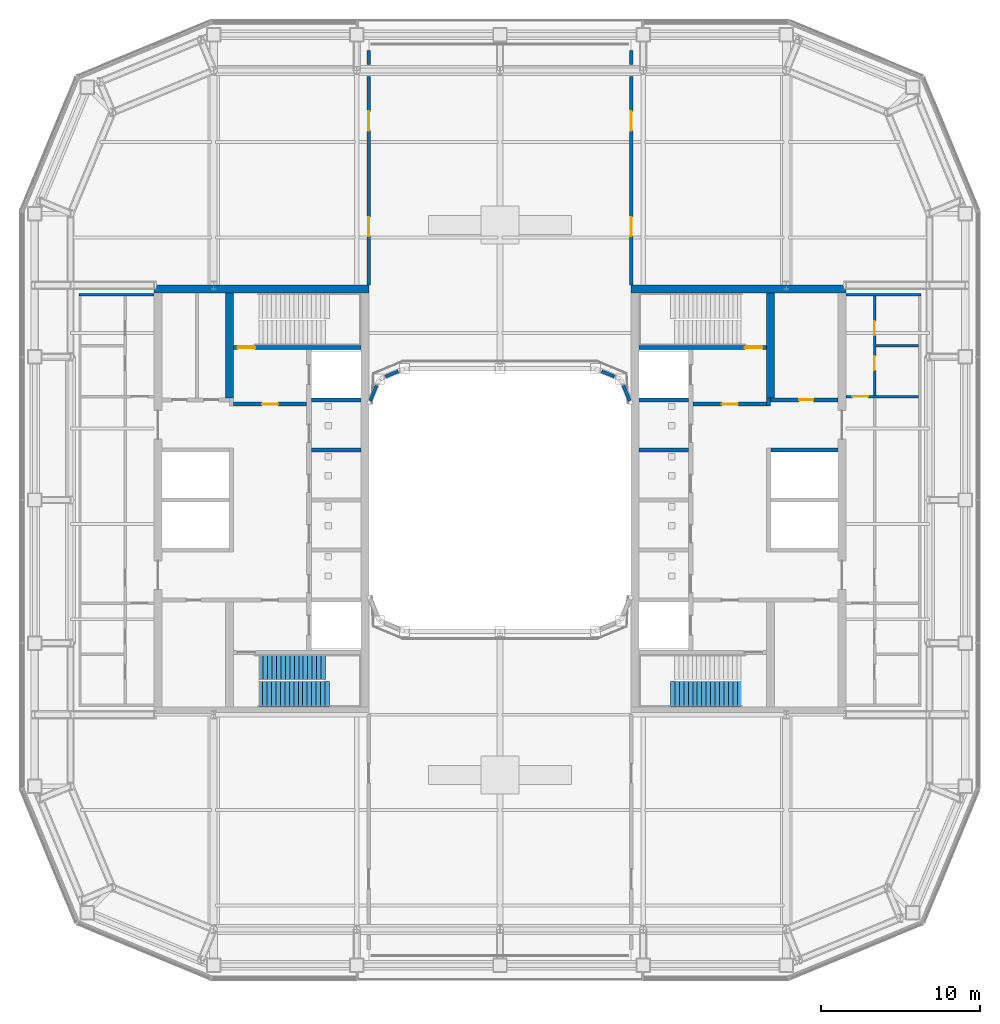
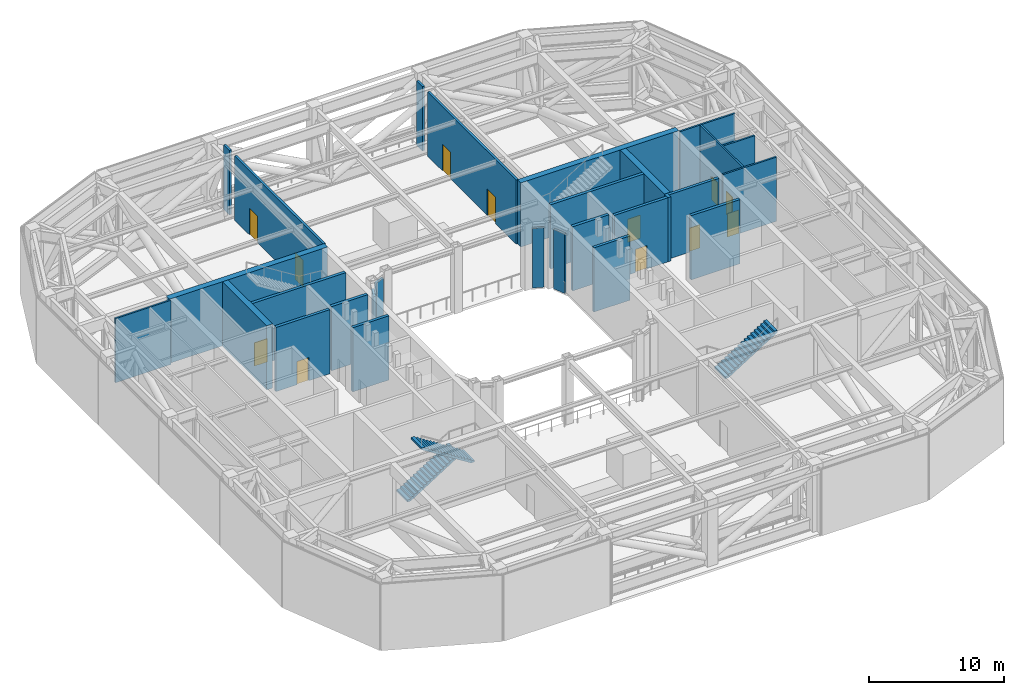
# One storey, part 13 of 22: 28 walls, 12 doors, 3 stair flights, 12 openings, 2 elements without a shape of their own.
"""IFC4 building model written with IfcOpenShell, lengths in metres."""

from ifc_helpers import new_model, si_unit, direction, frame, frame_2d, origin, place, context, subcontext, project, spatial, polyline, rectangle, outline, extrude, material, layer, layer_set, type_object, element, fill, aggregate, save


model = new_model("IFC4")

# Units and contexts
model_context = context("Model", 3, precision=1e-05, world=origin(), true_north=direction((0.0, 1.0)))
body_context = subcontext(model_context, "Body", "Model", "MODEL_VIEW")
ifc_project = project(units=[si_unit("LENGTHUNIT", "METRE"), si_unit("AREAUNIT", "SQUARE_METRE"), si_unit("VOLUMEUNIT", "CUBIC_METRE"), si_unit("PLANEANGLEUNIT", "RADIAN"), si_unit("MASSUNIT", "GRAM", prefix="KILO")], contexts=[model_context])

# Site, building, storey
site_placement = place(None, origin())
site = spatial("IfcSite", under=ifc_project, at=site_placement, CompositionType="ELEMENT")
building_placement = place(site_placement, origin())
building = spatial("IfcBuilding", under=site, at=building_placement, Name="Siwar Civic Tower", CompositionType="ELEMENT")
storey_placement = place(building_placement, frame((0.0, 0.0, 181.199951171875)))
storey = spatial("IfcBuildingStorey", under=building, at=storey_placement, Name="L39", CompositionType="ELEMENT", Elevation=181.199951171875)

# Wall, opening, door
ifc_material_1 = material(Name="Gypsum board on steel studs", Category="steel")
ifc_layer_1 = layer(ifc_material_1, 0.14990234375)
ifc_layer_set_1 = layer_set([ifc_layer_1], Name="Gypsum board on steel studs")
wall_type_1 = type_object("IfcWallType", Name="COMPARTMENT PARTITION 150 EI 60", PredefinedType="PARTITIONING", material=ifc_layer_set_1)
wall_1_placement = place(storey_placement, frame((21.75, 6.5, 0.0), z_axis=(0.0, 0.0, 1.0), x_axis=(1.0, 0.0, 0.0)))
wall_1 = element("IfcWall", 1, at=wall_1_placement, inside=storey, type_object=wall_type_1, Name="L39/wall/P08", PredefinedType="PARTITIONING", context=body_context, shape_type="SweptSolid", body=[
    extrude(rectangle(XDim=4.574951171875, YDim=0.14990234375, at=frame_2d((2.28759765625, 0.0))), origin(), (0.0, 0.0, 1.0), 5.800048828125),
])
opening_1_placement = place(wall_1_placement, frame((0.39990234375, 0.0, 0.0)))
opening_1 = element("IfcOpeningElement", 2, at=opening_1_placement, cuts=wall_1, Name="Opening D1", PredefinedType="OPENING", context=body_context, shape_type="SweptSolid", body=[
    extrude(rectangle(XDim=1.0, YDim=2.10009765625, at=frame_2d((0.5, 1.050048828125))), frame((0.0, 0.0849609375, 0.0), z_axis=(0.0, -1.0, 0.0), x_axis=(1.0, 0.0, 0.0)), (0.0, 0.0, 1.0), 0.169921875),
])
ifc_material_2 = material(Name="Timber, painted", Category="wood")
door_type_1 = type_object("IfcDoorType", Name="DOOR 1000 X 2100 FD30", OperationType="SINGLE_SWING_LEFT", PredefinedType="DOOR", material=ifc_material_2)
door_1_placement = place(opening_1_placement, origin())
door_1 = element("IfcDoor", 3, at=door_1_placement, inside=storey, type_object=door_type_1, Name="L39-D01", OperationType="SINGLE_SWING_LEFT", OverallHeight=2.10009765625, OverallWidth=1.0, PredefinedType="DOOR", context=body_context, shape_type="SweptSolid", body=[
    extrude(rectangle(XDim=1.0, YDim=2.10009765625, at=frame_2d((0.5, 1.050048828125))), frame((0.0, 0.02490234375, 0.0), z_axis=(0.0, -1.0, 0.0), x_axis=(1.0, 0.0, 0.0)), (0.0, 0.0, 1.0), 0.050048828125),
])
fill(opening_1, door_1)

# Walls
wall_2_placement = place(storey_placement, frame((23.625, 9.699951171875, 0.0), z_axis=(0.0, 0.0, 1.0), x_axis=(1.0, 0.0, 0.0)))
element("IfcWall", 4, at=wall_2_placement, inside=storey, type_object=wall_type_1, Name="L39/wall/P10", PredefinedType="PARTITIONING", context=body_context, shape_type="SweptSolid", body=[
    extrude(rectangle(XDim=2.699951171875, YDim=0.14990234375, at=frame_2d((1.35009765625, 0.0))), origin(), (0.0, 0.0, 1.0), 5.800048828125),
])
for number, where, z_axis, x_axis, name in (
    (5, (-26.47509765625, 12.89990234375, 0.0), (0.0, 0.0, 1.0), (1.0, 0.0, 0.0), "L39/wall/P11"),
    (6, (21.75, 12.89990234375, 0.0), (0.0, 0.0, 1.0), (1.0, 0.0, 0.0), "L39/wall/P12"),
):
    element("IfcWall", number, at=place(storey_placement, frame(where, z_axis=z_axis, x_axis=x_axis)), inside=storey, type_object=wall_type_1, Name=name, PredefinedType="PARTITIONING", context=body_context, shape_type="SweptSolid", body=[
        extrude(rectangle(XDim=4.72509765625, YDim=0.14990234375, at=frame_2d((2.362548828125, 0.0))), origin(), (0.0, 0.0, 1.0), 5.800048828125),
    ])

# Wall, openings, doors
wall_3_placement = place(storey_placement, frame((23.550048828125, 6.574951171875, 0.0), z_axis=(0.0, 0.0, 1.0), x_axis=(0.0, 1.0, 0.0)))
wall_3 = element("IfcWall", 7, at=wall_3_placement, inside=storey, type_object=wall_type_1, Name="L39/wall/P19", PredefinedType="PARTITIONING", context=body_context, shape_type="SweptSolid", body=[
    extrude(rectangle(XDim=6.25, YDim=0.14990234375, at=frame_2d((3.125, 0.0))), origin(), (0.0, 0.0, 1.0), 5.800048828125),
])
opening_2_placement = place(wall_3_placement, frame((1.574951171875, 0.0, 0.0)))
opening_2 = element("IfcOpeningElement", 8, at=opening_2_placement, cuts=wall_3, Name="Opening D4", PredefinedType="OPENING", context=body_context, shape_type="SweptSolid", body=[
    extrude(rectangle(XDim=0.89990234375, YDim=2.10009765625, at=frame_2d((0.449951171875, 1.050048828125))), frame((0.0, 0.0849609375, 0.0), z_axis=(0.0, -1.0, 0.0), x_axis=(1.0, 0.0, 0.0)), (0.0, 0.0, 1.0), 0.169921875),
])
opening_3_placement = place(wall_3_placement, frame((3.77490234375, 0.0, 0.0)))
opening_3 = element("IfcOpeningElement", 9, at=opening_3_placement, cuts=wall_3, Name="Opening D4", PredefinedType="OPENING", context=body_context, shape_type="SweptSolid", body=[
    extrude(rectangle(XDim=0.89990234375, YDim=2.10009765625, at=frame_2d((0.449951171875, 1.050048828125))), frame((0.0, 0.0849609375, 0.0), z_axis=(0.0, -1.0, 0.0), x_axis=(1.0, 0.0, 0.0)), (0.0, 0.0, 1.0), 0.169921875),
])
ifc_material_3 = material(Name="Timber, painted", Category="wood")
door_type_2 = type_object("IfcDoorType", Name="DOOR 900 X 2100 FD60", OperationType="SINGLE_SWING_LEFT", PredefinedType="DOOR", material=ifc_material_3)
door_2_placement = place(opening_2_placement, origin())
door_2 = element("IfcDoor", 10, at=door_2_placement, inside=storey, type_object=door_type_2, Name="L39-D04", OperationType="SINGLE_SWING_RIGHT", OverallHeight=2.10009765625, OverallWidth=0.89990234375, PredefinedType="DOOR", context=body_context, shape_type="SweptSolid", body=[
    extrude(rectangle(XDim=0.89990234375, YDim=2.10009765625, at=frame_2d((0.449951171875, 1.050048828125))), frame((0.0, 0.02490234375, 0.0), z_axis=(0.0, -1.0, 0.0), x_axis=(1.0, 0.0, 0.0)), (0.0, 0.0, 1.0), 0.050048828125),
])
fill(opening_2, door_2)
door_3_placement = place(opening_3_placement, origin())
door_3 = element("IfcDoor", 11, at=door_3_placement, inside=storey, type_object=door_type_2, Name="L39-D05", OperationType="SINGLE_SWING_LEFT", OverallHeight=2.10009765625, OverallWidth=0.89990234375, PredefinedType="DOOR", context=body_context, shape_type="SweptSolid", body=[
    extrude(rectangle(XDim=0.89990234375, YDim=2.10009765625, at=frame_2d((0.449951171875, 1.050048828125))), frame((0.0, 0.02490234375, 0.0), z_axis=(0.0, -1.0, 0.0), x_axis=(1.0, 0.0, 0.0)), (0.0, 0.0, 1.0), 0.050048828125),
])
fill(opening_3, door_3)

# Wall, opening, door
ifc_material_4 = material(Name="Concrete C60/75", Category="concrete")
ifc_layer_2 = layer(ifc_material_4, 0.25)
ifc_layer_set_2 = layer_set([ifc_layer_2], Name="Concrete C60/75")
wall_type_2 = type_object("IfcWallType", Name="CORE-WALL-RC250", PredefinedType="SHEAR", material=ifc_layer_set_2)
wall_4_placement = place(storey_placement, frame((-12.14990234375, 6.02490234375, 0.0), z_axis=(0.0, 0.0, 1.0), x_axis=(-1.0, 0.0, 0.0)))
wall_4 = element("IfcWall", 12, at=wall_4_placement, inside=storey, type_object=wall_type_2, Name="Core wall W", PredefinedType="SHEAR", context=body_context, shape_type="SweptSolid", body=[
    extrude(rectangle(XDim=4.60009765625, YDim=0.25, at=frame_2d((2.300048828125, 0.0))), origin(), (0.0, 0.0, 1.0), 5.800048828125),
])
opening_4_placement = place(wall_4_placement, frame((1.800048828125, 0.0, 0.0)))
opening_4 = element("IfcOpeningElement", 13, at=opening_4_placement, cuts=wall_4, Name="Opening L39-CW01", PredefinedType="OPENING", context=body_context, shape_type="SweptSolid", body=[
    extrude(rectangle(XDim=1.0, YDim=2.10009765625, at=frame_2d((0.5, 1.050048828125))), frame((0.0, 0.135009765625, 0.0), z_axis=(0.0, -1.0, 0.0), x_axis=(1.0, 0.0, 0.0)), (0.0, 0.0, 1.0), 0.27001953125),
])
ifc_material_5 = material(Name="Steel door leaf", Category="steel")
door_type_3 = type_object("IfcDoorType", Name="CORE-DOOR-FD30S", OperationType="SINGLE_SWING_LEFT", PredefinedType="DOOR", material=ifc_material_5)
door_4_placement = place(opening_4_placement, origin())
door_4 = element("IfcDoor", 14, at=door_4_placement, inside=storey, type_object=door_type_3, Name="Firefighting lobby door L39-CW01", OperationType="SINGLE_SWING_LEFT", OverallHeight=2.10009765625, OverallWidth=1.0, PredefinedType="DOOR", context=body_context, shape_type="SweptSolid", body=[
    extrude(rectangle(XDim=1.0, YDim=2.10009765625, at=frame_2d((0.5, 1.050048828125))), frame((0.0, 0.02490234375, 0.0), z_axis=(0.0, -1.0, 0.0), x_axis=(1.0, 0.0, 0.0)), (0.0, 0.0, 1.0), 0.050048828125),
])
fill(opening_4, door_4)

# Walls
for number, where, z_axis, x_axis, name in (
    (15, (-8.75, 3.14990234375, 0.0), (0.0, 0.0, 1.0), (-1.0, 0.0, 0.0), "Core wall W"),
    (16, (-8.75, 6.300048828125, 0.0), (0.0, 0.0, 1.0), (-1.0, 0.0, 0.0), "Core wall W"),
):
    element("IfcWall", number, at=place(storey_placement, frame(where, z_axis=z_axis, x_axis=x_axis)), inside=storey, type_object=wall_type_2, Name=name, PredefinedType="SHEAR", context=body_context, shape_type="SweptSolid", body=[
        extrude(rectangle(XDim=3.10009765625, YDim=0.25, at=frame_2d((1.550048828125, 0.0))), origin(), (0.0, 0.0, 1.0), 5.800048828125),
    ])

# Wall, opening, door
wall_5_placement = place(storey_placement, frame((-8.75, 9.574951171875, 0.0), z_axis=(0.0, 0.0, 1.0), x_axis=(-1.0, 0.0, 0.0)))
wall_5 = element("IfcWall", 17, at=wall_5_placement, inside=storey, type_object=wall_type_2, Name="Core wall W", PredefinedType="SHEAR", context=body_context, shape_type="SweptSolid", body=[
    extrude(rectangle(XDim=8.0, YDim=0.25, at=frame_2d((4.0, 0.0))), origin(), (0.0, 0.0, 1.0), 5.800048828125),
])
opening_5_placement = place(wall_5_placement, frame((6.64990234375, 0.0, 0.0)))
opening_5 = element("IfcOpeningElement", 18, at=opening_5_placement, cuts=wall_5, Name="Opening L39-CW03", PredefinedType="OPENING", context=body_context, shape_type="SweptSolid", body=[
    extrude(rectangle(XDim=1.10009765625, YDim=2.10009765625, at=frame_2d((0.550048828125, 1.050048828125))), frame((0.0, 0.135009765625, 0.0), z_axis=(0.0, -1.0, 0.0), x_axis=(1.0, 0.0, 0.0)), (0.0, 0.0, 1.0), 0.27001953125),
])
ifc_material_6 = material(Name="Steel door leaf", Category="steel")
door_type_4 = type_object("IfcDoorType", Name="CORE-DOOR-FD60S", OperationType="SINGLE_SWING_LEFT", PredefinedType="DOOR", material=ifc_material_6)
door_5_placement = place(opening_5_placement, origin())
door_5 = element("IfcDoor", 19, at=door_5_placement, inside=storey, type_object=door_type_4, Name="Stair door L39-CW03", OperationType="SINGLE_SWING_RIGHT", OverallHeight=2.10009765625, OverallWidth=1.10009765625, PredefinedType="DOOR", context=body_context, shape_type="SweptSolid", body=[
    extrude(rectangle(XDim=1.10009765625, YDim=2.10009765625, at=frame_2d((0.550048828125, 1.050048828125))), frame((0.0, 0.02490234375, 0.0), z_axis=(0.0, -1.0, 0.0), x_axis=(1.0, 0.0, 0.0)), (0.0, 0.0, 1.0), 0.050048828125),
])
fill(opening_5, door_5)

wall_6_placement = place(storey_placement, frame((12.14990234375, 6.02490234375, 0.0), z_axis=(0.0, 0.0, 1.0), x_axis=(1.0, 0.0, 0.0)))
wall_6 = element("IfcWall", 20, at=wall_6_placement, inside=storey, type_object=wall_type_2, Name="Core wall E", PredefinedType="SHEAR", context=body_context, shape_type="SweptSolid", body=[
    extrude(rectangle(XDim=4.60009765625, YDim=0.25, at=frame_2d((2.300048828125, 0.0))), origin(), (0.0, 0.0, 1.0), 5.800048828125),
])
opening_6_placement = place(wall_6_placement, frame((1.800048828125, 0.0, 0.0)))
opening_6 = element("IfcOpeningElement", 21, at=opening_6_placement, cuts=wall_6, Name="Opening L39-CE01", PredefinedType="OPENING", context=body_context, shape_type="SweptSolid", body=[
    extrude(rectangle(XDim=1.0, YDim=2.10009765625, at=frame_2d((0.5, 1.050048828125))), frame((0.0, 0.135009765625, 0.0), z_axis=(0.0, -1.0, 0.0), x_axis=(1.0, 0.0, 0.0)), (0.0, 0.0, 1.0), 0.27001953125),
])
door_6_placement = place(opening_6_placement, origin())
door_6 = element("IfcDoor", 22, at=door_6_placement, inside=storey, type_object=door_type_3, Name="Firefighting lobby door L39-CE01", OperationType="SINGLE_SWING_RIGHT", OverallHeight=2.10009765625, OverallWidth=1.0, PredefinedType="DOOR", context=body_context, shape_type="SweptSolid", body=[
    extrude(rectangle(XDim=1.0, YDim=2.10009765625, at=frame_2d((0.5, 1.050048828125))), frame((0.0, 0.02490234375, 0.0), z_axis=(0.0, -1.0, 0.0), x_axis=(1.0, 0.0, 0.0)), (0.0, 0.0, 1.0), 0.050048828125),
])
fill(opening_6, door_6)

# Wall
wall_7_placement = place(storey_placement, frame((16.875, 5.89990234375, 0.0), z_axis=(0.0, 0.0, 1.0), x_axis=(0.0, 1.0, 0.0)))
element("IfcWall", 23, at=wall_7_placement, inside=storey, type_object=wall_type_2, Name="Core wall E", PredefinedType="SHEAR", context=body_context, shape_type="SweptSolid", body=[
    extrude(rectangle(XDim=0.525146484375, YDim=0.25, at=frame_2d((0.2626953125, 0.0))), origin(), (0.0, 0.0, 1.0), 5.800048828125),
])

# Wall, opening, door
wall_8_placement = place(storey_placement, frame((17.0, 6.300048828125, 0.0), z_axis=(0.0, 0.0, 1.0), x_axis=(1.0, 0.0, 0.0)))
wall_8 = element("IfcWall", 24, at=wall_8_placement, inside=storey, type_object=wall_type_2, Name="Core wall E", PredefinedType="SHEAR", context=body_context, shape_type="SweptSolid", body=[
    extrude(rectangle(XDim=4.25, YDim=0.25, at=frame_2d((2.125, 0.0))), origin(), (0.0, 0.0, 1.0), 5.800048828125),
])
opening_7_placement = place(wall_8_placement, frame((1.800048828125, 0.0, 0.0)))
opening_7 = element("IfcOpeningElement", 25, at=opening_7_placement, cuts=wall_8, Name="Opening L39-CE13", PredefinedType="OPENING", context=body_context, shape_type="SweptSolid", body=[
    extrude(rectangle(XDim=0.89990234375, YDim=2.10009765625, at=frame_2d((0.449951171875, 1.050048828125))), frame((0.0, 0.135009765625, 0.0), z_axis=(0.0, -1.0, 0.0), x_axis=(1.0, 0.0, 0.0)), (0.0, 0.0, 1.0), 0.27001953125),
])
ifc_material_7 = material(Name="Steel door leaf", Category="steel")
door_type_5 = type_object("IfcDoorType", Name="CORE-DOOR-ROOM", OperationType="SINGLE_SWING_LEFT", PredefinedType="DOOR", material=ifc_material_7)
door_7_placement = place(opening_7_placement, origin())
door_7 = element("IfcDoor", 26, at=door_7_placement, inside=storey, type_object=door_type_5, Name="Core room door L39-CE13", OperationType="SINGLE_SWING_RIGHT", OverallHeight=2.10009765625, OverallWidth=0.89990234375, PredefinedType="DOOR", context=body_context, shape_type="SweptSolid", body=[
    extrude(rectangle(XDim=0.89990234375, YDim=2.10009765625, at=frame_2d((0.449951171875, 1.050048828125))), frame((0.0, 0.02490234375, 0.0), z_axis=(0.0, -1.0, 0.0), x_axis=(1.0, 0.0, 0.0)), (0.0, 0.0, 1.0), 0.050048828125),
])
fill(opening_7, door_7)

# Walls
wall_9_placement = place(storey_placement, frame((17.050048828125, 3.14990234375, 0.0), z_axis=(0.0, 0.0, 1.0), x_axis=(1.0, 0.0, 0.0)))
element("IfcWall", 27, at=wall_9_placement, inside=storey, type_object=wall_type_2, Name="Core wall E", PredefinedType="SHEAR", context=body_context, shape_type="SweptSolid", body=[
    extrude(rectangle(XDim=4.199951171875, YDim=0.25, at=frame_2d((2.10009765625, 0.0))), origin(), (0.0, 0.0, 1.0), 5.800048828125),
])
for number, where, z_axis, x_axis, name in (
    (28, (8.75, 3.14990234375, 0.0), (0.0, 0.0, 1.0), (1.0, 0.0, 0.0), "Core wall E"),
    (29, (8.75, 6.300048828125, 0.0), (0.0, 0.0, 1.0), (1.0, 0.0, 0.0), "Core wall E"),
):
    element("IfcWall", number, at=place(storey_placement, frame(where, z_axis=z_axis, x_axis=x_axis)), inside=storey, type_object=wall_type_2, Name=name, PredefinedType="SHEAR", context=body_context, shape_type="SweptSolid", body=[
        extrude(rectangle(XDim=3.10009765625, YDim=0.25, at=frame_2d((1.550048828125, 0.0))), origin(), (0.0, 0.0, 1.0), 5.800048828125),
    ])

# Wall, opening, door
wall_10_placement = place(storey_placement, frame((8.75, 9.574951171875, 0.0), z_axis=(0.0, 0.0, 1.0), x_axis=(1.0, 0.0, 0.0)))
wall_10 = element("IfcWall", 30, at=wall_10_placement, inside=storey, type_object=wall_type_2, Name="Core wall E", PredefinedType="SHEAR", context=body_context, shape_type="SweptSolid", body=[
    extrude(rectangle(XDim=8.0, YDim=0.25, at=frame_2d((4.0, 0.0))), origin(), (0.0, 0.0, 1.0), 5.800048828125),
])
opening_8_placement = place(wall_10_placement, frame((6.64990234375, 0.0, 0.0)))
opening_8 = element("IfcOpeningElement", 31, at=opening_8_placement, cuts=wall_10, Name="Opening L39-CE03", PredefinedType="OPENING", context=body_context, shape_type="SweptSolid", body=[
    extrude(rectangle(XDim=1.10009765625, YDim=2.10009765625, at=frame_2d((0.550048828125, 1.050048828125))), frame((0.0, 0.135009765625, 0.0), z_axis=(0.0, -1.0, 0.0), x_axis=(1.0, 0.0, 0.0)), (0.0, 0.0, 1.0), 0.27001953125),
])
door_8_placement = place(opening_8_placement, origin())
door_8 = element("IfcDoor", 32, at=door_8_placement, inside=storey, type_object=door_type_4, Name="Stair door L39-CE03", OperationType="SINGLE_SWING_LEFT", OverallHeight=2.10009765625, OverallWidth=1.10009765625, PredefinedType="DOOR", context=body_context, shape_type="SweptSolid", body=[
    extrude(rectangle(XDim=1.10009765625, YDim=2.10009765625, at=frame_2d((0.550048828125, 1.050048828125))), frame((0.0, 0.02490234375, 0.0), z_axis=(0.0, -1.0, 0.0), x_axis=(1.0, 0.0, 0.0)), (0.0, 0.0, 1.0), 0.050048828125),
])
fill(opening_8, door_8)

# Walls
ifc_material_8 = material(Name="Concrete C60/75", Category="concrete")
ifc_layer_3 = layer(ifc_material_8, 0.5)
ifc_layer_set_3 = layer_set([ifc_layer_3], Name="Concrete C60/75")
wall_type_3 = type_object("IfcWallType", Name="CORE-WALL-RC500", PredefinedType="SHEAR", material=ifc_layer_set_3)
wall_11_placement = place(storey_placement, frame((-17.0, 6.425048828125, 0.0), z_axis=(0.0, 0.0, 1.0), x_axis=(0.0, 1.0, 0.0)))
element("IfcWall", 33, at=wall_11_placement, inside=storey, type_object=wall_type_3, Name="Core wall W", PredefinedType="SHEAR", context=body_context, shape_type="SweptSolid", body=[
    extrude(rectangle(XDim=6.574951171875, YDim=0.5, at=frame_2d((3.28759765625, 0.0))), origin(), (0.0, 0.0, 1.0), 5.800048828125),
])
wall_12_placement = place(storey_placement, frame((-8.25, 13.25, 0.0), z_axis=(0.0, 0.0, 1.0), x_axis=(-1.0, 0.0, 0.0)))
element("IfcWall", 34, at=wall_12_placement, inside=storey, type_object=wall_type_3, Name="Core wall W", PredefinedType="SHEAR", context=body_context, shape_type="SweptSolid", body=[
    extrude(rectangle(XDim=13.5, YDim=0.5, at=frame_2d((6.75, 0.0))), origin(), (0.0, 0.0, 1.0), 5.800048828125),
])
wall_13_placement = place(storey_placement, frame((17.0, 6.425048828125, 0.0), z_axis=(0.0, 0.0, 1.0), x_axis=(0.0, 1.0, 0.0)))
element("IfcWall", 35, at=wall_13_placement, inside=storey, type_object=wall_type_3, Name="Core wall E", PredefinedType="SHEAR", context=body_context, shape_type="SweptSolid", body=[
    extrude(rectangle(XDim=6.574951171875, YDim=0.5, at=frame_2d((3.28759765625, 0.0))), origin(), (0.0, 0.0, 1.0), 5.800048828125),
])
wall_14_placement = place(storey_placement, frame((8.25, 13.25, 0.0), z_axis=(0.0, 0.0, 1.0), x_axis=(1.0, 0.0, 0.0)))
element("IfcWall", 36, at=wall_14_placement, inside=storey, type_object=wall_type_3, Name="Core wall E", PredefinedType="SHEAR", context=body_context, shape_type="SweptSolid", body=[
    extrude(rectangle(XDim=13.5, YDim=0.5, at=frame_2d((6.75, 0.0))), origin(), (0.0, 0.0, 1.0), 5.800048828125),
])

# Wall, openings, doors
ifc_material_9 = material(Name="Aluminium clad insulated panel", Category="aluminium")
ifc_layer_4 = layer(ifc_material_9, 0.199951171875)
ifc_layer_set_4 = layer_set([ifc_layer_4], Name="Aluminium clad insulated panel")
wall_type_4 = type_object("IfcWallType", Name="ENV-PORTAL WALL", PredefinedType="STANDARD", material=ifc_layer_set_4)
wall_15_placement = place(storey_placement, frame((-8.25, 13.5, 0.0), z_axis=(0.0, 0.0, 1.0), x_axis=(0.0, 1.0, 0.0)))
wall_15 = element("IfcWall", 37, at=wall_15_placement, inside=storey, type_object=wall_type_4, Name="Sky portal closing wall NW", PredefinedType="STANDARD", context=body_context, shape_type="SweptSolid", body=[
    extrude(rectangle(XDim=13.114990234375, YDim=0.199951171875, at=frame_2d((6.5576171875, 0.0))), origin(), (0.0, 0.0, 1.0), 5.800048828125),
])
opening_9_placement = place(wall_15_placement, frame((3.08740234375, 0.0, 0.0)))
opening_9 = element("IfcOpeningElement", 38, at=opening_9_placement, cuts=wall_15, Name="Opening D-PT", PredefinedType="OPENING", context=body_context, shape_type="SweptSolid", body=[
    extrude(rectangle(XDim=1.199951171875, YDim=2.39990234375, at=frame_2d((0.60009765625, 1.199951171875))), frame((0.0, 0.10986328125, 0.0), z_axis=(0.0, -1.0, 0.0), x_axis=(1.0, 0.0, 0.0)), (0.0, 0.0, 1.0), 0.219970703125),
])
opening_10_placement = place(wall_15_placement, frame((9.72509765625, 0.0, 0.0)))
opening_10 = element("IfcOpeningElement", 39, at=opening_10_placement, cuts=wall_15, Name="Opening D-PT", PredefinedType="OPENING", context=body_context, shape_type="SweptSolid", body=[
    extrude(rectangle(XDim=1.199951171875, YDim=2.39990234375, at=frame_2d((0.60009765625, 1.199951171875))), frame((0.0, 0.10986328125, 0.0), z_axis=(0.0, -1.0, 0.0), x_axis=(1.0, 0.0, 0.0)), (0.0, 0.0, 1.0), 0.219970703125),
])
ifc_material_10 = material(Name="Aluminium and glass", Category="aluminium")
door_type_6 = type_object("IfcDoorType", Name="ENV-DOOR-PORTAL", OperationType="DOUBLE_DOOR_SINGLE_SWING", PredefinedType="DOOR", material=ifc_material_10)
door_9_placement = place(opening_9_placement, origin())
door_9 = element("IfcDoor", 40, at=door_9_placement, inside=storey, type_object=door_type_6, Name="Sky portal door NW 1", OperationType="DOUBLE_DOOR_SINGLE_SWING", OverallHeight=2.39990234375, OverallWidth=1.199951171875, PredefinedType="DOOR", context=body_context, shape_type="SweptSolid", body=[
    extrude(rectangle(XDim=1.199951171875, YDim=2.39990234375, at=frame_2d((0.60009765625, 1.199951171875))), frame((0.0, 0.02490234375, 0.0), z_axis=(0.0, -1.0, 0.0), x_axis=(1.0, 0.0, 0.0)), (0.0, 0.0, 1.0), 0.050048828125),
])
fill(opening_9, door_9)
door_10_placement = place(opening_10_placement, origin())
door_10 = element("IfcDoor", 41, at=door_10_placement, inside=storey, type_object=door_type_6, Name="Sky portal door NW 2", OperationType="DOUBLE_DOOR_SINGLE_SWING", OverallHeight=2.39990234375, OverallWidth=1.199951171875, PredefinedType="DOOR", context=body_context, shape_type="SweptSolid", body=[
    extrude(rectangle(XDim=1.199951171875, YDim=2.39990234375, at=frame_2d((0.60009765625, 1.199951171875))), frame((0.0, 0.02490234375, 0.0), z_axis=(0.0, -1.0, 0.0), x_axis=(1.0, 0.0, 0.0)), (0.0, 0.0, 1.0), 0.050048828125),
])
fill(opening_10, door_10)

# Wall
wall_16_placement = place(storey_placement, frame((-8.25, 27.385009765625, 0.0), z_axis=(0.0, 0.0, 1.0), x_axis=(0.0, 1.0, 0.0)))
element("IfcWall", 42, at=wall_16_placement, inside=storey, type_object=wall_type_4, Name="Sky portal closing wall NW", PredefinedType="STANDARD", context=body_context, shape_type="SweptSolid", body=[
    extrude(rectangle(XDim=0.864990234375, YDim=0.199951171875, at=frame_2d((0.4326171875, 0.0))), origin(), (0.0, 0.0, 1.0), 5.800048828125),
])

# Wall, openings, doors
wall_17_placement = place(storey_placement, frame((8.25, 13.5, 0.0), z_axis=(0.0, 0.0, 1.0), x_axis=(0.0, 1.0, 0.0)))
wall_17 = element("IfcWall", 43, at=wall_17_placement, inside=storey, type_object=wall_type_4, Name="Sky portal closing wall NE", PredefinedType="STANDARD", context=body_context, shape_type="SweptSolid", body=[
    extrude(rectangle(XDim=13.114990234375, YDim=0.199951171875, at=frame_2d((6.5576171875, 0.0))), origin(), (0.0, 0.0, 1.0), 5.800048828125),
])
opening_11_placement = place(wall_17_placement, frame((3.08740234375, 0.0, 0.0)))
opening_11 = element("IfcOpeningElement", 44, at=opening_11_placement, cuts=wall_17, Name="Opening D-PT", PredefinedType="OPENING", context=body_context, shape_type="SweptSolid", body=[
    extrude(rectangle(XDim=1.199951171875, YDim=2.39990234375, at=frame_2d((0.60009765625, 1.199951171875))), frame((0.0, 0.10986328125, 0.0), z_axis=(0.0, -1.0, 0.0), x_axis=(1.0, 0.0, 0.0)), (0.0, 0.0, 1.0), 0.219970703125),
])
opening_12_placement = place(wall_17_placement, frame((9.72509765625, 0.0, 0.0)))
opening_12 = element("IfcOpeningElement", 45, at=opening_12_placement, cuts=wall_17, Name="Opening D-PT", PredefinedType="OPENING", context=body_context, shape_type="SweptSolid", body=[
    extrude(rectangle(XDim=1.199951171875, YDim=2.39990234375, at=frame_2d((0.60009765625, 1.199951171875))), frame((0.0, 0.10986328125, 0.0), z_axis=(0.0, -1.0, 0.0), x_axis=(1.0, 0.0, 0.0)), (0.0, 0.0, 1.0), 0.219970703125),
])
door_11_placement = place(opening_11_placement, origin())
door_11 = element("IfcDoor", 46, at=door_11_placement, inside=storey, type_object=door_type_6, Name="Sky portal door NE 1", OperationType="DOUBLE_DOOR_SINGLE_SWING", OverallHeight=2.39990234375, OverallWidth=1.199951171875, PredefinedType="DOOR", context=body_context, shape_type="SweptSolid", body=[
    extrude(rectangle(XDim=1.199951171875, YDim=2.39990234375, at=frame_2d((0.60009765625, 1.199951171875))), frame((0.0, 0.02490234375, 0.0), z_axis=(0.0, -1.0, 0.0), x_axis=(1.0, 0.0, 0.0)), (0.0, 0.0, 1.0), 0.050048828125),
])
fill(opening_11, door_11)
door_12_placement = place(opening_12_placement, origin())
door_12 = element("IfcDoor", 47, at=door_12_placement, inside=storey, type_object=door_type_6, Name="Sky portal door NE 2", OperationType="DOUBLE_DOOR_SINGLE_SWING", OverallHeight=2.39990234375, OverallWidth=1.199951171875, PredefinedType="DOOR", context=body_context, shape_type="SweptSolid", body=[
    extrude(rectangle(XDim=1.199951171875, YDim=2.39990234375, at=frame_2d((0.60009765625, 1.199951171875))), frame((0.0, 0.02490234375, 0.0), z_axis=(0.0, -1.0, 0.0), x_axis=(1.0, 0.0, 0.0)), (0.0, 0.0, 1.0), 0.050048828125),
])
fill(opening_12, door_12)

# Walls
wall_18_placement = place(storey_placement, frame((8.25, 27.385009765625, 0.0), z_axis=(0.0, 0.0, 1.0), x_axis=(0.0, 1.0, 0.0)))
element("IfcWall", 48, at=wall_18_placement, inside=storey, type_object=wall_type_4, Name="Sky portal closing wall NE", PredefinedType="STANDARD", context=body_context, shape_type="SweptSolid", body=[
    extrude(rectangle(XDim=0.864990234375, YDim=0.199951171875, at=frame_2d((0.4326171875, 0.0))), origin(), (0.0, 0.0, 1.0), 5.800048828125),
])
ifc_material_11 = material(Name="Aluminium clad insulated panel", Category="aluminium")
ifc_layer_5 = layer(ifc_material_11, 0.199951171875)
ifc_layer_set_5 = layer_set([ifc_layer_5], Name="Aluminium clad insulated panel")
wall_type_5 = type_object("IfcWallType", Name="ENV-WALL-WELL", PredefinedType="STANDARD", material=ifc_layer_set_5)
wall_19_placement = place(storey_placement, frame((8.154296875, 6.23095703125, 0.0), z_axis=(0.0, 0.0, 1.0), x_axis=(-0.382694858887, 0.923874799408, 0.0)))
element("IfcWall", 49, at=wall_19_placement, inside=storey, type_object=wall_type_5, Name="Light well corner wall NE1", PredefinedType="STANDARD", context=body_context, shape_type="SweptSolid", body=[
    extrude(rectangle(XDim=1.047607421875, YDim=0.199951171875, at=frame_2d((0.52392578125, 0.0))), origin(), (0.0, 0.0, 1.0), 5.3681640625),
])
for number, where, z_axis, x_axis, name in (
    (50, (7.19873046875, 7.75341796875, 0.0), (0.0, 0.0, 1.0), (-0.923894108428, 0.382648241093, 0.0), "Light well corner wall NE2"),
    (51, (-6.392333984375, 8.08740234375, 0.0), (0.0, 0.0, 1.0), (-0.923894108428, -0.382648241093, 0.0), "Light well corner wall NW1"),
):
    element("IfcWall", number, at=place(storey_placement, frame(where, z_axis=z_axis, x_axis=x_axis)), inside=storey, type_object=wall_type_5, Name=name, PredefinedType="STANDARD", context=body_context, shape_type="SweptSolid", body=[
        extrude(rectangle(XDim=0.872802734375, YDim=0.199951171875, at=frame_2d((0.4365234375, 0.0))), origin(), (0.0, 0.0, 1.0), 5.3681640625),
    ])
wall_20_placement = place(storey_placement, frame((-7.75341796875, 7.19873046875, 0.0), z_axis=(0.0, 0.0, 1.0), x_axis=(-0.382694858887, -0.923874799408, 0.0)))
element("IfcWall", 52, at=wall_20_placement, inside=storey, type_object=wall_type_5, Name="Light well corner wall NW2", PredefinedType="STANDARD", context=body_context, shape_type="SweptSolid", body=[
    extrude(rectangle(XDim=1.047607421875, YDim=0.199951171875, at=frame_2d((0.52392578125, 0.0))), origin(), (0.0, 0.0, 1.0), 5.3681640625),
])

# Stair, stair flights
ifc_material_12 = material(Name="Concrete C40/50", Category="concrete")
stair_type = type_object("IfcStairType", Name="CORE-STAIR", PredefinedType="TWO_STRAIGHT_RUN_STAIR", material=ifc_material_12)
stair_1_placement = place(storey_placement, origin())
stair_1 = element("IfcStair", 53, at=stair_1_placement, inside=storey, type_object=stair_type, Name="Exit stair ST2", PredefinedType="TWO_STRAIGHT_RUN_STAIR")
ifc_material_13 = material(Name="Concrete C40/50", Category="concrete")
stair_flight_type = type_object("IfcStairFlightType", Name="CORE-STAIR-FLIGHT", PredefinedType="STRAIGHT", material=ifc_material_13)
stair_flight_1_placement = place(storey_placement, frame((-15.449951171875, -10.5, 0.0), z_axis=(0.0, 0.0, 1.0), x_axis=(1.0, 0.0, 0.0)))
stair_flight_1 = element("IfcStairFlight", 54, at=stair_flight_1_placement, type_object=stair_flight_type, Name="ST2 flight 1", NumberOfRisers=17, NumberOfTreads=16, PredefinedType="STRAIGHT", RiserHeight=0.176470588, TreadLength=0.28, context=body_context, shape_type="SweptSolid", body=[
    extrude(outline(polyline([(0.0, 0.0), (0.0, 0.176513671875), (0.280029296875, 0.176513671875), (0.280029296875, 0.35302734375), (0.56005859375, 0.35302734375), (0.56005859375, 0.529296875), (0.840087890625, 0.529296875), (0.840087890625, 0.705810546875), (1.1201171875, 0.705810546875), (1.1201171875, 0.88232421875), (1.39990234375, 0.88232421875), (1.39990234375, 1.058837890625), (1.679931640625, 1.058837890625), (1.679931640625, 1.2353515625), (1.9599609375, 1.2353515625), (1.9599609375, 1.411865234375), (2.239990234375, 1.411865234375), (2.239990234375, 1.588134765625), (2.52001953125, 1.588134765625), (2.52001953125, 1.7646484375), (2.800048828125, 1.7646484375), (2.800048828125, 1.941162109375), (3.080078125, 1.941162109375), (3.080078125, 2.11767578125), (3.360107421875, 2.11767578125), (3.360107421875, 2.294189453125), (3.639892578125, 2.294189453125), (3.639892578125, 2.470703125), (3.919921875, 2.470703125), (3.919921875, 2.64697265625), (4.199951171875, 2.64697265625), (4.199951171875, 2.823486328125), (4.47998046875, 2.823486328125), (4.47998046875, 3.0), (4.47998046875, 2.646240234375), (0.28125, 0.0), (0.0, 0.0)])), frame((0.0, 0.800048828125, 0.0), z_axis=(0.0, -1.0, 0.0), x_axis=(1.0, 0.0, 0.0)), (0.0, 0.0, 1.0), 1.60009765625),
])
stair_flight_2_placement = place(storey_placement, frame((-10.719970703125, -12.199951171875, 3.0), z_axis=(0.0, 0.0, 1.0), x_axis=(-1.0, 0.0, 0.0)))
stair_flight_2 = element("IfcStairFlight", 55, at=stair_flight_2_placement, type_object=stair_flight_type, Name="ST2 flight 2", NumberOfRisers=17, NumberOfTreads=16, PredefinedType="STRAIGHT", RiserHeight=0.176470588, TreadLength=0.28, context=body_context, shape_type="SweptSolid", body=[
    extrude(outline(polyline([(0.0, 0.0), (0.0, 0.176513671875), (0.280029296875, 0.176513671875), (0.280029296875, 0.35302734375), (0.56005859375, 0.35302734375), (0.56005859375, 0.529296875), (0.840087890625, 0.529296875), (0.840087890625, 0.705810546875), (1.1201171875, 0.705810546875), (1.1201171875, 0.88232421875), (1.39990234375, 0.88232421875), (1.39990234375, 1.058837890625), (1.679931640625, 1.058837890625), (1.679931640625, 1.2353515625), (1.9599609375, 1.2353515625), (1.9599609375, 1.411865234375), (2.239990234375, 1.411865234375), (2.239990234375, 1.588134765625), (2.52001953125, 1.588134765625), (2.52001953125, 1.7646484375), (2.800048828125, 1.7646484375), (2.800048828125, 1.941162109375), (3.080078125, 1.941162109375), (3.080078125, 2.11767578125), (3.360107421875, 2.11767578125), (3.360107421875, 2.294189453125), (3.639892578125, 2.294189453125), (3.639892578125, 2.470703125), (3.919921875, 2.470703125), (3.919921875, 2.64697265625), (4.199951171875, 2.64697265625), (4.199951171875, 2.823486328125), (4.47998046875, 2.823486328125), (4.47998046875, 3.0), (4.47998046875, 2.646240234375), (0.28125, 0.0), (0.0, 0.0)])), frame((0.0, 0.800048828125, 0.0), z_axis=(0.0, -1.0, 0.0), x_axis=(1.0, 0.0, 0.0)), (0.0, 0.0, 1.0), 1.60009765625),
])
aggregate(stair_1, [stair_flight_1, stair_flight_2])

# Stair, stair flight
stair_2_placement = place(storey_placement, origin())
stair_2 = element("IfcStair", 56, at=stair_2_placement, inside=storey, type_object=stair_type, Name="Exit stair ST4", PredefinedType="TWO_STRAIGHT_RUN_STAIR")
stair_flight_3_placement = place(storey_placement, frame((10.719970703125, -12.199951171875, 3.0), z_axis=(0.0, 0.0, 1.0), x_axis=(1.0, 0.0, 0.0)))
stair_flight_3 = element("IfcStairFlight", 57, at=stair_flight_3_placement, type_object=stair_flight_type, Name="ST4 flight 2", NumberOfRisers=17, NumberOfTreads=16, PredefinedType="STRAIGHT", RiserHeight=0.176470588, TreadLength=0.28, context=body_context, shape_type="SweptSolid", body=[
    extrude(outline(polyline([(0.0, 0.0), (0.0, 0.176513671875), (0.280029296875, 0.176513671875), (0.280029296875, 0.35302734375), (0.56005859375, 0.35302734375), (0.56005859375, 0.529296875), (0.840087890625, 0.529296875), (0.840087890625, 0.705810546875), (1.1201171875, 0.705810546875), (1.1201171875, 0.88232421875), (1.39990234375, 0.88232421875), (1.39990234375, 1.058837890625), (1.679931640625, 1.058837890625), (1.679931640625, 1.2353515625), (1.9599609375, 1.2353515625), (1.9599609375, 1.411865234375), (2.239990234375, 1.411865234375), (2.239990234375, 1.588134765625), (2.52001953125, 1.588134765625), (2.52001953125, 1.7646484375), (2.800048828125, 1.7646484375), (2.800048828125, 1.941162109375), (3.080078125, 1.941162109375), (3.080078125, 2.11767578125), (3.360107421875, 2.11767578125), (3.360107421875, 2.294189453125), (3.639892578125, 2.294189453125), (3.639892578125, 2.470703125), (3.919921875, 2.470703125), (3.919921875, 2.64697265625), (4.199951171875, 2.64697265625), (4.199951171875, 2.823486328125), (4.47998046875, 2.823486328125), (4.47998046875, 3.0), (4.47998046875, 2.646240234375), (0.28125, 0.0), (0.0, 0.0)])), frame((0.0, 0.800048828125, 0.0), z_axis=(0.0, -1.0, 0.0), x_axis=(1.0, 0.0, 0.0)), (0.0, 0.0, 1.0), 1.60009765625),
])
aggregate(stair_2, [stair_flight_3])

save(model, "model.ifc")
